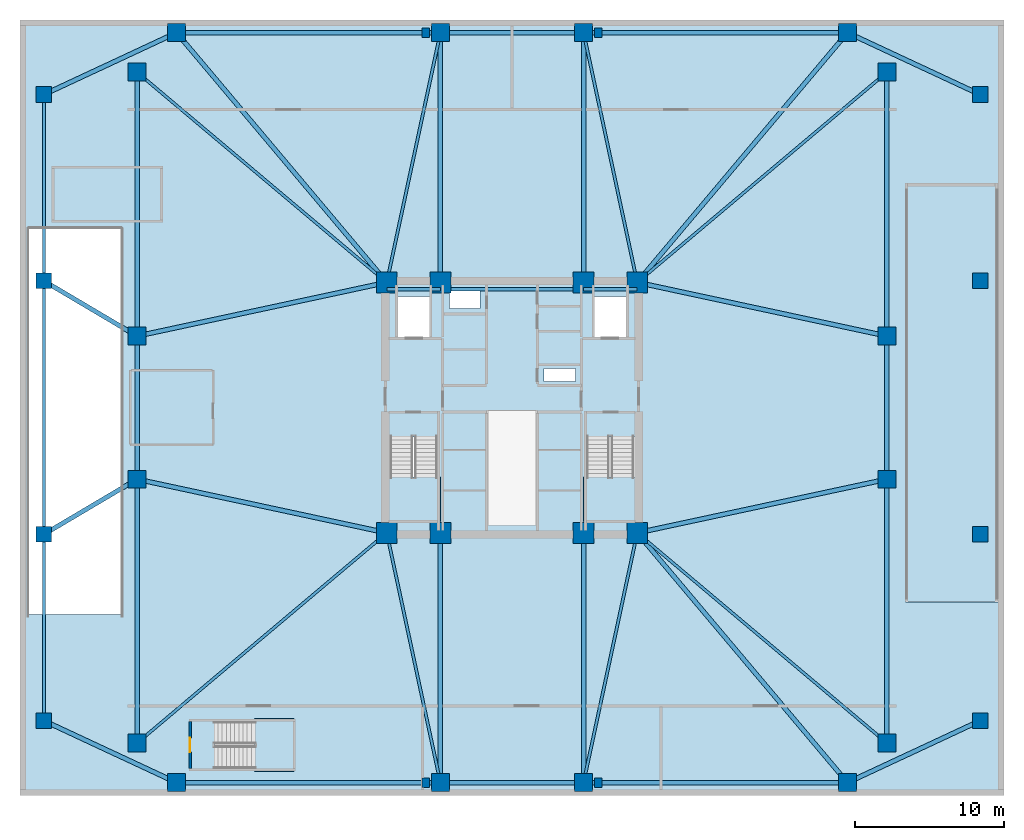
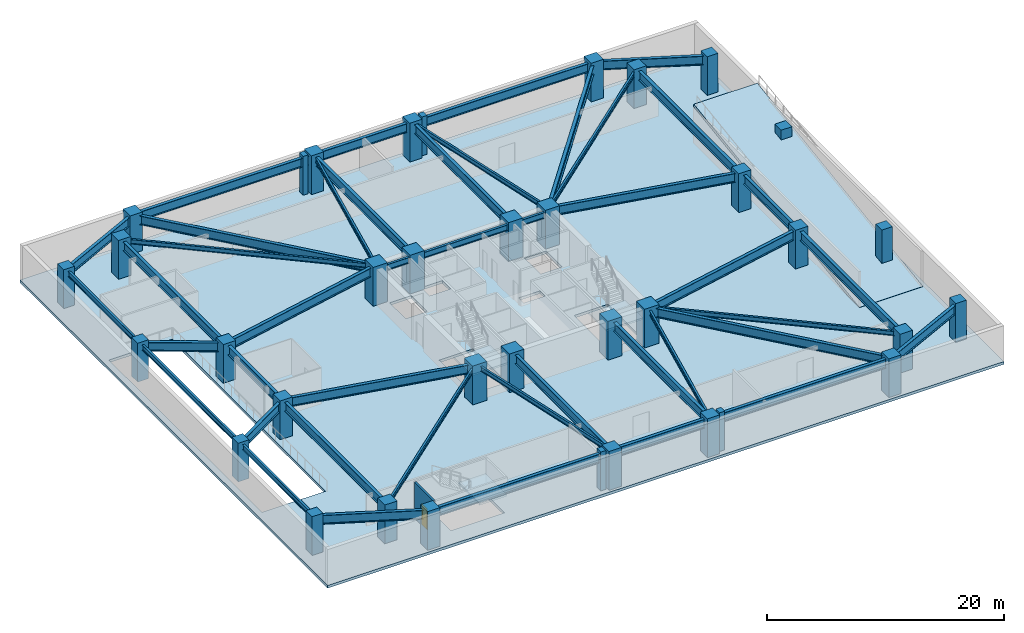
# One storey, part 1 of 9: 43 beams, 36 columns, 5 slabs, 1 door, 1 wall, 1 opening, 3 elements without a shape of their own.
"""IFC4 building model written with IfcOpenShell, lengths in metres."""

from ifc_helpers import new_model, si_unit, direction, frame, frame_2d, origin, origin_2d, place, context, subcontext, project, spatial, polyline, rectangle, i_section, outline, extrude, material, layer, layer_set, material_profile, profile_set, type_object, element, fill, aggregate, save


model = new_model("IFC4")

# Units and contexts
model_context = context("Model", 3, precision=1e-05, world=origin(), true_north=direction((0.0, 1.0)))
body_context = subcontext(model_context, "Body", "Model", "MODEL_VIEW")
ifc_project = project(units=[si_unit("LENGTHUNIT", "METRE"), si_unit("AREAUNIT", "SQUARE_METRE"), si_unit("VOLUMEUNIT", "CUBIC_METRE"), si_unit("PLANEANGLEUNIT", "RADIAN"), si_unit("MASSUNIT", "GRAM", prefix="KILO")], contexts=[model_context])

# Site, building, storey
site_placement = place(None, origin())
site = spatial("IfcSite", under=ifc_project, at=site_placement, CompositionType="ELEMENT")
building_placement = place(site_placement, origin())
building = spatial("IfcBuilding", under=site, at=building_placement, Name="Cairnveth Concourse Tower", CompositionType="ELEMENT")
storey_placement = place(building_placement, frame((0.0, 0.0, -4.0)))
storey = spatial("IfcBuildingStorey", under=building, at=storey_placement, Name="B01", CompositionType="ELEMENT", Elevation=-4.0)

# Columns
ifc_material_1 = material(Name="Concrete N80 (80 MPa)", Category="concrete")
ifc_material_profile_1 = material_profile(ifc_material_1, rectangle(XDim=1.39990234375, YDim=1.39990234375, at=origin_2d()), Name="RC-COL-1400x1400")
ifc_profile_set_1 = profile_set([ifc_material_profile_1], Name="Concrete N80 (80 MPa)")
column_type_1 = type_object("IfcColumnType", Name="CORE COLUMN 1400X1400", PredefinedType="COLUMN", material=ifc_profile_set_1)
for number, where, z_axis, x_axis, name in (
    (1, (43.60009765625, 30.60009765625, 0.0), (0.0, 0.0, 1.0), (1.0, 0.0, 0.0), "Column CC1 B01"),
    (2, (47.199951171875, 30.60009765625, 0.0), (0.0, 0.0, 1.0), (1.0, 0.0, 0.0), "Column CC2 B01"),
    (3, (56.800048828125, 30.60009765625, 0.0), (0.0, 0.0, 1.0), (1.0, 0.0, 0.0), "Column CC3 B01"),
    (4, (60.39990234375, 30.60009765625, 0.0), (0.0, 0.0, 1.0), (1.0, 0.0, 0.0), "Column CC4 B01"),
    (5, (43.60009765625, 47.39990234375, 0.0), (0.0, 0.0, 1.0), (1.0, 0.0, 0.0), "Column CC5 B01"),
    (6, (47.199951171875, 47.39990234375, 0.0), (0.0, 0.0, 1.0), (1.0, 0.0, 0.0), "Column CC6 B01"),
    (7, (56.800048828125, 47.39990234375, 0.0), (0.0, 0.0, 1.0), (1.0, 0.0, 0.0), "Column CC7 B01"),
    (8, (60.39990234375, 47.39990234375, 0.0), (0.0, 0.0, 1.0), (1.0, 0.0, 0.0), "Column CC8 B01"),
):
    element("IfcColumn", number, at=place(storey_placement, frame(where, z_axis=z_axis, x_axis=x_axis)), inside=storey, type_object=column_type_1, Name=name, PredefinedType="COLUMN", context=body_context, shape_type="SweptSolid", body=[
        extrude(rectangle(XDim=1.39990234375, YDim=1.39990234375, at=origin_2d()), origin(), (0.0, 0.0, 1.0), 4.0),
    ])
ifc_material_2 = material(Name="Concrete N65 (65 MPa)", Category="concrete")
ifc_material_profile_2 = material_profile(ifc_material_2, rectangle(XDim=0.5, YDim=0.64990234375, at=origin_2d()), Name="RC-PIL-650x500")
ifc_profile_set_2 = profile_set([ifc_material_profile_2], Name="Concrete N65 (65 MPa)")
column_type_2 = type_object("IfcColumnType", Name="CORNER PIER PILASTER 650X500", PredefinedType="PILASTER", material=ifc_profile_set_2)
for number, where, z_axis, x_axis, name in (
    (9, (46.199951171875, 13.85009765625, 0.0), (0.0, 0.0, 1.0), (1.0, 0.0, 0.0), "Column PIL-G1 B01"),
    (10, (57.800048828125, 13.85009765625, 0.0), (0.0, 0.0, 1.0), (1.0, 0.0, 0.0), "Column PIL-G2 B01"),
    (11, (46.199951171875, 64.14990234375, 0.0), (0.0, 0.0, 1.0), (1.0, 0.0, 0.0), "Column PIL-G3 B01"),
    (12, (57.800048828125, 64.14990234375, 0.0), (0.0, 0.0, 1.0), (1.0, 0.0, 0.0), "Column PIL-G4 B01"),
):
    element("IfcColumn", number, at=place(storey_placement, frame(where, z_axis=z_axis, x_axis=x_axis)), inside=storey, type_object=column_type_2, Name=name, PredefinedType="PILASTER", context=body_context, shape_type="SweptSolid", body=[
        extrude(rectangle(XDim=0.5, YDim=0.64990234375, at=origin_2d()), origin(), (0.0, 0.0, 1.0), 4.0),
    ])
ifc_material_profile_3 = material_profile(ifc_material_1, rectangle(XDim=1.199951171875, YDim=1.199951171875, at=origin_2d()), Name="RC-COL-1200x1200")
ifc_profile_set_3 = profile_set([ifc_material_profile_3], Name="Concrete N80 (80 MPa)")
column_type_3 = type_object("IfcColumnType", Name="PERIMETER PIER COLUMN 1200X1200", PredefinedType="COLUMN", material=ifc_profile_set_3)
for number, where, z_axis, x_axis, name in (
    (13, (29.5, 13.85009765625, 0.0), (0.0, 0.0, 1.0), (1.0, 0.0, 0.0), "Column Z1-S1 B01"),
    (14, (47.199951171875, 13.85009765625, 0.0), (0.0, 0.0, 1.0), (1.0, 0.0, 0.0), "Column Z1-S2 B01"),
    (15, (56.800048828125, 13.85009765625, 0.0), (0.0, 0.0, 1.0), (1.0, 0.0, 0.0), "Column Z1-S3 B01"),
    (16, (74.5, 13.85009765625, 0.0), (0.0, 0.0, 1.0), (1.0, 0.0, 0.0), "Column Z1-S4 B01"),
    (17, (77.14990234375, 16.5, 0.0), (0.0, 0.0, 1.0), (1.0, 0.0, 0.0), "Column Z1-E1 B01"),
    (18, (77.14990234375, 34.199951171875, 0.0), (0.0, 0.0, 1.0), (1.0, 0.0, 0.0), "Column Z1-E2 B01"),
    (19, (77.14990234375, 43.800048828125, 0.0), (0.0, 0.0, 1.0), (1.0, 0.0, 0.0), "Column Z1-E3 B01"),
    (20, (77.14990234375, 61.5, 0.0), (0.0, 0.0, 1.0), (1.0, 0.0, 0.0), "Column Z1-E4 B01"),
    (21, (74.5, 64.14990234375, 0.0), (0.0, 0.0, 1.0), (1.0, 0.0, 0.0), "Column Z1-N1 B01"),
    (22, (56.800048828125, 64.14990234375, 0.0), (0.0, 0.0, 1.0), (1.0, 0.0, 0.0), "Column Z1-N2 B01"),
    (23, (47.199951171875, 64.14990234375, 0.0), (0.0, 0.0, 1.0), (1.0, 0.0, 0.0), "Column Z1-N3 B01"),
    (24, (29.5, 64.14990234375, 0.0), (0.0, 0.0, 1.0), (1.0, 0.0, 0.0), "Column Z1-N4 B01"),
    (25, (26.85009765625, 61.5, 0.0), (0.0, 0.0, 1.0), (1.0, 0.0, 0.0), "Column Z1-W1 B01"),
    (26, (26.85009765625, 43.800048828125, 0.0), (0.0, 0.0, 1.0), (1.0, 0.0, 0.0), "Column Z1-W2 B01"),
    (27, (26.85009765625, 34.199951171875, 0.0), (0.0, 0.0, 1.0), (1.0, 0.0, 0.0), "Column Z1-W3 B01"),
    (28, (26.85009765625, 16.5, 0.0), (0.0, 0.0, 1.0), (1.0, 0.0, 0.0), "Column Z1-W4 B01"),
):
    element("IfcColumn", number, at=place(storey_placement, frame(where, z_axis=z_axis, x_axis=x_axis)), inside=storey, type_object=column_type_3, Name=name, PredefinedType="COLUMN", context=body_context, shape_type="SweptSolid", body=[
        extrude(rectangle(XDim=1.199951171875, YDim=1.199951171875, at=origin_2d()), origin(), (0.0, 0.0, 1.0), 4.0),
    ])
ifc_material_profile_4 = material_profile(ifc_material_2, rectangle(XDim=1.050048828125, YDim=1.050048828125, at=origin_2d()), Name="RC-COL-1050x1050")
ifc_profile_set_4 = profile_set([ifc_material_profile_4], Name="Concrete N65 (65 MPa)")
column_type_4 = type_object("IfcColumnType", Name="PODIUM CONCOURSE COLUMN 1050X1050", PredefinedType="COLUMN", material=ifc_profile_set_4)
for number, where, z_axis, x_axis, name in (
    (29, (20.60009765625, 18.0, 0.0), (0.0, 0.0, 1.0), (1.0, 0.0, 0.0), "Column PC-W1 B01"),
    (30, (20.60009765625, 30.5, 0.0), (0.0, 0.0, 1.0), (1.0, 0.0, 0.0), "Column PC-W2 B01"),
    (31, (20.60009765625, 47.5, 0.0), (0.0, 0.0, 1.0), (1.0, 0.0, 0.0), "Column PC-W3 B01"),
    (32, (20.60009765625, 60.0, 0.0), (0.0, 0.0, 1.0), (1.0, 0.0, 0.0), "Column PC-W4 B01"),
    (33, (83.39990234375, 18.0, 0.0), (0.0, 0.0, 1.0), (1.0, 0.0, 0.0), "Column PC-E1 B01"),
    (34, (83.39990234375, 30.5, 0.0), (0.0, 0.0, 1.0), (1.0, 0.0, 0.0), "Column PC-E2 B01"),
    (35, (83.39990234375, 47.5, 0.0), (0.0, 0.0, 1.0), (1.0, 0.0, 0.0), "Column PC-E3 B01"),
    (36, (83.39990234375, 60.0, 0.0), (0.0, 0.0, 1.0), (1.0, 0.0, 0.0), "Column PC-E4 B01"),
):
    element("IfcColumn", number, at=place(storey_placement, frame(where, z_axis=z_axis, x_axis=x_axis)), inside=storey, type_object=column_type_4, Name=name, PredefinedType="COLUMN", context=body_context, shape_type="SweptSolid", body=[
        extrude(rectangle(XDim=1.050048828125, YDim=1.050048828125, at=origin_2d()), origin(), (0.0, 0.0, 1.0), 4.0),
    ])

# Beams
ifc_material_3 = material(Name="Steel Grade 350", Category="steel")
ifc_material_profile_5 = material_profile(ifc_material_3, i_section(OverallWidth=0.22802734375, OverallDepth=0.60693359375, WebThickness=0.01123046875, FlangeThickness=0.017333984375, FilletRadius=0.013916015625, at=origin_2d()), Name="610UB113")
ifc_profile_set_5 = profile_set([ifc_material_profile_5], Name="Steel Grade 350")
beam_type_1 = type_object("IfcBeamType", Name="CORE TIE BEAM 610UB113", PredefinedType="T_BEAM", material=ifc_profile_set_5)
for number, where, z_axis, x_axis, name in (
    (37, (43.60009765625, 46.949951171875, 3.396484375), (1.0, 0.0, 0.0), (0.0, 1.0, 0.0), "Beam CT-N1 B01"),
    (38, (56.800048828125, 46.949951171875, 3.396484375), (1.0, 0.0, 0.0), (0.0, 1.0, 0.0), "Beam CT-N3 B01"),
):
    element("IfcBeam", number, at=place(storey_placement, frame(where, z_axis=z_axis, x_axis=x_axis)), inside=storey, type_object=beam_type_1, Name=name, PredefinedType="T_BEAM", context=body_context, shape_type="SweptSolid", body=[
        extrude(i_section(OverallWidth=0.22802734375, OverallDepth=0.60693359375, WebThickness=0.01123046875, FlangeThickness=0.017333984375, FilletRadius=0.013916015625, at=origin_2d()), origin(), (0.0, 0.0, 1.0), 3.599853515625),
    ])
beam_1_placement = place(storey_placement, frame((47.199951171875, 46.949951171875, 3.396484375), z_axis=(1.0, 0.0, 0.0), x_axis=(0.0, 1.0, 0.0)))
element("IfcBeam", 39, at=beam_1_placement, inside=storey, type_object=beam_type_1, Name="Beam CT-N2 B01", PredefinedType="T_BEAM", context=body_context, shape_type="SweptSolid", body=[
    extrude(i_section(OverallWidth=0.22802734375, OverallDepth=0.60693359375, WebThickness=0.01123046875, FlangeThickness=0.017333984375, FilletRadius=0.013916015625, at=origin_2d()), origin(), (0.0, 0.0, 1.0), 9.60009765625),
])
ifc_material_profile_6 = material_profile(ifc_material_3, i_section(OverallWidth=0.208984375, OverallDepth=0.532958984375, WebThickness=0.01025390625, FlangeThickness=0.015625, FilletRadius=0.013916015625, at=origin_2d()), Name="530UB92.4")
ifc_profile_set_6 = profile_set([ifc_material_profile_6], Name="Steel Grade 350")
beam_type_2 = type_object("IfcBeamType", Name="PODIUM EDGE SPANDREL 530UB92.4", PredefinedType="SPANDREL", material=ifc_profile_set_6)
beam_2_placement = place(storey_placement, frame((20.60009765625, 18.0, 3.43359375), z_axis=(0.0, 1.0, 0.0), x_axis=(-1.0, 0.0, 0.0)))
element("IfcBeam", 40, at=beam_2_placement, inside=storey, type_object=beam_type_2, Name="Beam PSP-W1 B01", PredefinedType="SPANDREL", context=body_context, shape_type="SweptSolid", body=[
    extrude(i_section(OverallWidth=0.208984375, OverallDepth=0.532958984375, WebThickness=0.01025390625, FlangeThickness=0.015625, FilletRadius=0.013916015625, at=origin_2d()), origin(), (0.0, 0.0, 1.0), 12.5),
])
beam_3_placement = place(storey_placement, frame((20.60009765625, 30.5, 3.43359375), z_axis=(0.0, 1.0, 0.0), x_axis=(-1.0, 0.0, 0.0)))
element("IfcBeam", 41, at=beam_3_placement, inside=storey, type_object=beam_type_2, Name="Beam PSP-W2 B01", PredefinedType="SPANDREL", context=body_context, shape_type="SweptSolid", body=[
    extrude(i_section(OverallWidth=0.208984375, OverallDepth=0.532958984375, WebThickness=0.01025390625, FlangeThickness=0.015625, FilletRadius=0.013916015625, at=origin_2d()), origin(), (0.0, 0.0, 1.0), 17.0),
])
beam_4_placement = place(storey_placement, frame((20.60009765625, 47.5, 3.43359375), z_axis=(0.0, 1.0, 0.0), x_axis=(-1.0, 0.0, 0.0)))
element("IfcBeam", 42, at=beam_4_placement, inside=storey, type_object=beam_type_2, Name="Beam PSP-W3 B01", PredefinedType="SPANDREL", context=body_context, shape_type="SweptSolid", body=[
    extrude(i_section(OverallWidth=0.208984375, OverallDepth=0.532958984375, WebThickness=0.01025390625, FlangeThickness=0.015625, FilletRadius=0.013916015625, at=origin_2d()), origin(), (0.0, 0.0, 1.0), 12.5),
])
ifc_material_profile_7 = material_profile(ifc_material_3, i_section(OverallWidth=0.18994140625, OverallDepth=0.45703125, WebThickness=0.009033203125, FlangeThickness=0.014404296875, FilletRadius=0.010986328125, at=origin_2d()), Name="460UB74.6")
ifc_profile_set_7 = profile_set([ifc_material_profile_7], Name="Steel Grade 350")
beam_type_3 = type_object("IfcBeamType", Name="PODIUM FLOOR JOIST 460UB74.6", PredefinedType="JOIST", material=ifc_profile_set_7)
for number, where, z_axis, x_axis, name in (
    (43, (26.85009765625, 16.5, 3.471435546875), (0.765027427674, 0.643997697905, 0.0), (-0.643997697905, 0.765027427674, 0.0), "Beam PJ-SW1 B01"),
    (44, (77.14990234375, 16.5, 3.471435546875), (-0.765027427674, 0.643997697905, 0.0), (-0.643997697905, -0.765027427674, 0.0), "Beam PJ-SE1 B01"),
    (45, (26.85009765625, 61.5, 3.471435546875), (0.765027427674, -0.643997697905, 0.0), (0.643997697905, 0.765027427674, 0.0), "Beam PJ-NW1 B01"),
    (46, (77.14990234375, 61.5, 3.471435546875), (-0.765027427674, -0.643997697905, 0.0), (0.643997697905, -0.765027427674, 0.0), "Beam PJ-NE1 B01"),
):
    element("IfcBeam", number, at=place(storey_placement, frame(where, z_axis=z_axis, x_axis=x_axis)), inside=storey, type_object=beam_type_3, Name=name, PredefinedType="JOIST", context=body_context, shape_type="SweptSolid", body=[
        extrude(i_section(OverallWidth=0.18994140625, OverallDepth=0.45703125, WebThickness=0.009033203125, FlangeThickness=0.014404296875, FilletRadius=0.010986328125, at=origin_2d()), origin(), (0.0, 0.0, 1.0), 21.89453125),
    ])
for number, where, z_axis, x_axis, name in (
    (47, (43.60009765625, 30.60009765625, 3.471435546875), (0.210118799239, -0.977675861524, 0.0), (0.977675861524, 0.210118799239, 0.0), "Beam PJ-S-X B01"),
    (48, (60.39990234375, 30.60009765625, 3.471435546875), (-0.210118799239, -0.977675861524, 0.0), (0.977675861524, -0.210118799239, 0.0), "Beam PJ-S-X2 B01"),
    (49, (43.60009765625, 47.39990234375, 3.471435546875), (0.210118799239, 0.977675861524, 0.0), (-0.977675861524, 0.210118799239, 0.0), "Beam PJ-N-X B01"),
    (50, (60.39990234375, 47.39990234375, 3.471435546875), (-0.210118799239, 0.977675861524, 0.0), (-0.977675861524, -0.210118799239, 0.0), "Beam PJ-N-X2 B01"),
):
    element("IfcBeam", number, at=place(storey_placement, frame(where, z_axis=z_axis, x_axis=x_axis)), inside=storey, type_object=beam_type_3, Name=name, PredefinedType="JOIST", context=body_context, shape_type="SweptSolid", body=[
        extrude(i_section(OverallWidth=0.18994140625, OverallDepth=0.45703125, WebThickness=0.009033203125, FlangeThickness=0.014404296875, FilletRadius=0.010986328125, at=origin_2d()), origin(), (0.0, 0.0, 1.0), 17.132568359375),
    ])
ifc_material_profile_8 = material_profile(ifc_material_3, i_section(OverallWidth=0.300048828125, OverallDepth=0.924072265625, WebThickness=0.013916015625, FlangeThickness=0.031982421875, at=origin_2d()), Name="900WB257")
ifc_profile_set_8 = profile_set([ifc_material_profile_8], Name="Steel Grade 350")
beam_type_4 = type_object("IfcBeamType", Name="PODIUM PRIMARY GIRDER 900WB257", PredefinedType="BEAM", material=ifc_profile_set_8)
for number, where, z_axis, x_axis, name in (
    (51, (20.60009765625, 18.0, 3.238037109375), (0.906315208572, -0.422602345842, 0.0), (0.422602345842, 0.906315208572, 0.0), "Beam PG-W-S B01"),
    (52, (74.5, 13.85009765625, 3.238037109375), (0.906315208572, 0.422602345842, 0.0), (-0.422602345842, 0.906315208572, 0.0), "Beam PG-E-S B01"),
    (53, (20.60009765625, 60.0, 3.238037109375), (0.906315208572, 0.422602345842, 0.0), (-0.422602345842, 0.906315208572, 0.0), "Beam PG-W-N B01"),
    (54, (74.5, 64.14990234375, 3.238037109375), (0.906315208572, -0.422602345842, 0.0), (0.422602345842, 0.906315208572, 0.0), "Beam PG-E-N B01"),
):
    element("IfcBeam", number, at=place(storey_placement, frame(where, z_axis=z_axis, x_axis=x_axis)), inside=storey, type_object=beam_type_4, Name=name, PredefinedType="BEAM", context=body_context, shape_type="SweptSolid", body=[
        extrude(i_section(OverallWidth=0.300048828125, OverallDepth=0.924072265625, WebThickness=0.013916015625, FlangeThickness=0.031982421875, at=origin_2d()), origin(), (0.0, 0.0, 1.0), 9.81982421875),
    ])
beam_5_placement = place(storey_placement, frame((20.60009765625, 30.5, 3.238037109375), z_axis=(0.860518044459, 0.509419959523, 0.0), x_axis=(-0.509419959523, 0.860518044459, 0.0)))
element("IfcBeam", 55, at=beam_5_placement, inside=storey, type_object=beam_type_4, Name="Beam PG-W1 B01", PredefinedType="BEAM", context=body_context, shape_type="SweptSolid", body=[
    extrude(i_section(OverallWidth=0.300048828125, OverallDepth=0.924072265625, WebThickness=0.013916015625, FlangeThickness=0.031982421875, at=origin_2d()), origin(), (0.0, 0.0, 1.0), 7.26318359375),
])
beam_6_placement = place(storey_placement, frame((26.85009765625, 34.199951171875, 3.238037109375), z_axis=(0.977675861524, -0.210118799239, 0.0), x_axis=(0.210118799239, 0.977675861524, 0.0)))
element("IfcBeam", 56, at=beam_6_placement, inside=storey, type_object=beam_type_4, Name="Beam PG-W1B B01", PredefinedType="BEAM", context=body_context, shape_type="SweptSolid", body=[
    extrude(i_section(OverallWidth=0.300048828125, OverallDepth=0.924072265625, WebThickness=0.013916015625, FlangeThickness=0.031982421875, at=origin_2d()), origin(), (0.0, 0.0, 1.0), 17.132568359375),
])
beam_7_placement = place(storey_placement, frame((20.60009765625, 47.5, 3.238037109375), z_axis=(0.860518044459, -0.509419959523, 0.0), x_axis=(0.509419959523, 0.860518044459, 0.0)))
element("IfcBeam", 57, at=beam_7_placement, inside=storey, type_object=beam_type_4, Name="Beam PG-W2 B01", PredefinedType="BEAM", context=body_context, shape_type="SweptSolid", body=[
    extrude(i_section(OverallWidth=0.300048828125, OverallDepth=0.924072265625, WebThickness=0.013916015625, FlangeThickness=0.031982421875, at=origin_2d()), origin(), (0.0, 0.0, 1.0), 7.26318359375),
])
for number, where, z_axis, x_axis, name in (
    (58, (26.85009765625, 43.800048828125, 3.238037109375), (0.977675861524, 0.210118799239, 0.0), (-0.210118799239, 0.977675861524, 0.0), "Beam PG-W2B B01"),
    (59, (60.39990234375, 30.60009765625, 3.238037109375), (0.977675861524, 0.210118799239, 0.0), (-0.210118799239, 0.977675861524, 0.0), "Beam PG-E1 B01"),
    (60, (60.39990234375, 47.39990234375, 3.238037109375), (0.977675861524, -0.210118799239, 0.0), (0.210118799239, 0.977675861524, 0.0), "Beam PG-E2 B01"),
):
    element("IfcBeam", number, at=place(storey_placement, frame(where, z_axis=z_axis, x_axis=x_axis)), inside=storey, type_object=beam_type_4, Name=name, PredefinedType="BEAM", context=body_context, shape_type="SweptSolid", body=[
        extrude(i_section(OverallWidth=0.300048828125, OverallDepth=0.924072265625, WebThickness=0.013916015625, FlangeThickness=0.031982421875, at=origin_2d()), origin(), (0.0, 0.0, 1.0), 17.132568359375),
    ])
for number, where, z_axis, x_axis, name in (
    (61, (47.199951171875, 13.85009765625, 3.238037109375), (0.0, 1.0, 0.0), (-1.0, 0.0, 0.0), "Beam PG-S1 B01"),
    (62, (56.800048828125, 13.85009765625, 3.238037109375), (0.0, 1.0, 0.0), (-1.0, 0.0, 0.0), "Beam PG-S2 B01"),
    (63, (47.199951171875, 47.39990234375, 3.238037109375), (0.0, 1.0, 0.0), (-1.0, 0.0, 0.0), "Beam PG-N1 B01"),
    (64, (56.800048828125, 47.39990234375, 3.238037109375), (0.0, 1.0, 0.0), (-1.0, 0.0, 0.0), "Beam PG-N2 B01"),
):
    element("IfcBeam", number, at=place(storey_placement, frame(where, z_axis=z_axis, x_axis=x_axis)), inside=storey, type_object=beam_type_4, Name=name, PredefinedType="BEAM", context=body_context, shape_type="SweptSolid", body=[
        extrude(i_section(OverallWidth=0.300048828125, OverallDepth=0.924072265625, WebThickness=0.013916015625, FlangeThickness=0.031982421875, at=origin_2d()), origin(), (0.0, 0.0, 1.0), 16.75),
    ])
for number, where, z_axis, x_axis, name in (
    (65, (74.5, 13.85009765625, 3.238037109375), (-0.643997697905, 0.765027427674, 0.0), (-0.765027427674, -0.643997697905, 0.0), "Beam PG-CSE B01"),
    (66, (29.5, 64.14990234375, 3.238037109375), (0.643997697905, -0.765027427674, 0.0), (0.765027427674, 0.643997697905, 0.0), "Beam PG-CNW B01"),
    (67, (74.5, 64.14990234375, 3.238037109375), (-0.643997697905, -0.765027427674, 0.0), (0.765027427674, -0.643997697905, 0.0), "Beam PG-CNE B01"),
):
    element("IfcBeam", number, at=place(storey_placement, frame(where, z_axis=z_axis, x_axis=x_axis)), inside=storey, type_object=beam_type_4, Name=name, PredefinedType="BEAM", context=body_context, shape_type="SweptSolid", body=[
        extrude(i_section(OverallWidth=0.300048828125, OverallDepth=0.924072265625, WebThickness=0.013916015625, FlangeThickness=0.031982421875, at=origin_2d()), origin(), (0.0, 0.0, 1.0), 21.89453125),
    ])
beam_8_placement = place(storey_placement, frame((29.5, 13.85009765625, 3.238037109375), z_axis=(1.0, 0.0, 0.0), x_axis=(0.0, 1.0, 0.0)))
element("IfcBeam", 68, at=beam_8_placement, inside=storey, type_object=beam_type_4, Name="Beam PR-S1 B01", PredefinedType="BEAM", context=body_context, shape_type="SweptSolid", body=[
    extrude(i_section(OverallWidth=0.300048828125, OverallDepth=0.924072265625, WebThickness=0.013916015625, FlangeThickness=0.031982421875, at=origin_2d()), origin(), (0.0, 0.0, 1.0), 17.699951171875),
])
beam_9_placement = place(storey_placement, frame((47.199951171875, 13.85009765625, 3.238037109375), z_axis=(1.0, 0.0, 0.0), x_axis=(0.0, 1.0, 0.0)))
element("IfcBeam", 69, at=beam_9_placement, inside=storey, type_object=beam_type_4, Name="Beam PR-S2 B01", PredefinedType="BEAM", context=body_context, shape_type="SweptSolid", body=[
    extrude(i_section(OverallWidth=0.300048828125, OverallDepth=0.924072265625, WebThickness=0.013916015625, FlangeThickness=0.031982421875, at=origin_2d()), origin(), (0.0, 0.0, 1.0), 9.60009765625),
])
for number, where, z_axis, x_axis, name in (
    (70, (56.800048828125, 13.85009765625, 3.238037109375), (1.0, 0.0, 0.0), (0.0, 1.0, 0.0), "Beam PR-S3 B01"),
    (71, (29.5, 64.14990234375, 3.238037109375), (1.0, 0.0, 0.0), (0.0, 1.0, 0.0), "Beam PR-N1 B01"),
):
    element("IfcBeam", number, at=place(storey_placement, frame(where, z_axis=z_axis, x_axis=x_axis)), inside=storey, type_object=beam_type_4, Name=name, PredefinedType="BEAM", context=body_context, shape_type="SweptSolid", body=[
        extrude(i_section(OverallWidth=0.300048828125, OverallDepth=0.924072265625, WebThickness=0.013916015625, FlangeThickness=0.031982421875, at=origin_2d()), origin(), (0.0, 0.0, 1.0), 17.699951171875),
    ])
beam_10_placement = place(storey_placement, frame((47.199951171875, 64.14990234375, 3.238037109375), z_axis=(1.0, 0.0, 0.0), x_axis=(0.0, 1.0, 0.0)))
element("IfcBeam", 72, at=beam_10_placement, inside=storey, type_object=beam_type_4, Name="Beam PR-N2 B01", PredefinedType="BEAM", context=body_context, shape_type="SweptSolid", body=[
    extrude(i_section(OverallWidth=0.300048828125, OverallDepth=0.924072265625, WebThickness=0.013916015625, FlangeThickness=0.031982421875, at=origin_2d()), origin(), (0.0, 0.0, 1.0), 9.60009765625),
])
for number, where, z_axis, x_axis, name in (
    (73, (56.800048828125, 64.14990234375, 3.238037109375), (1.0, 0.0, 0.0), (0.0, 1.0, 0.0), "Beam PR-N3 B01"),
    (74, (26.85009765625, 16.5, 3.238037109375), (0.0, 1.0, 0.0), (-1.0, 0.0, 0.0), "Beam PR-W1 B01"),
):
    element("IfcBeam", number, at=place(storey_placement, frame(where, z_axis=z_axis, x_axis=x_axis)), inside=storey, type_object=beam_type_4, Name=name, PredefinedType="BEAM", context=body_context, shape_type="SweptSolid", body=[
        extrude(i_section(OverallWidth=0.300048828125, OverallDepth=0.924072265625, WebThickness=0.013916015625, FlangeThickness=0.031982421875, at=origin_2d()), origin(), (0.0, 0.0, 1.0), 17.699951171875),
    ])
beam_11_placement = place(storey_placement, frame((26.85009765625, 34.199951171875, 3.238037109375), z_axis=(0.0, 1.0, 0.0), x_axis=(-1.0, 0.0, 0.0)))
element("IfcBeam", 75, at=beam_11_placement, inside=storey, type_object=beam_type_4, Name="Beam PR-W2 B01", PredefinedType="BEAM", context=body_context, shape_type="SweptSolid", body=[
    extrude(i_section(OverallWidth=0.300048828125, OverallDepth=0.924072265625, WebThickness=0.013916015625, FlangeThickness=0.031982421875, at=origin_2d()), origin(), (0.0, 0.0, 1.0), 9.60009765625),
])
for number, where, z_axis, x_axis, name in (
    (76, (26.85009765625, 43.800048828125, 3.238037109375), (0.0, 1.0, 0.0), (-1.0, 0.0, 0.0), "Beam PR-W3 B01"),
    (77, (77.14990234375, 16.5, 3.238037109375), (0.0, 1.0, 0.0), (-1.0, 0.0, 0.0), "Beam PR-E1 B01"),
):
    element("IfcBeam", number, at=place(storey_placement, frame(where, z_axis=z_axis, x_axis=x_axis)), inside=storey, type_object=beam_type_4, Name=name, PredefinedType="BEAM", context=body_context, shape_type="SweptSolid", body=[
        extrude(i_section(OverallWidth=0.300048828125, OverallDepth=0.924072265625, WebThickness=0.013916015625, FlangeThickness=0.031982421875, at=origin_2d()), origin(), (0.0, 0.0, 1.0), 17.699951171875),
    ])
beam_12_placement = place(storey_placement, frame((77.14990234375, 34.199951171875, 3.238037109375), z_axis=(0.0, 1.0, 0.0), x_axis=(-1.0, 0.0, 0.0)))
element("IfcBeam", 78, at=beam_12_placement, inside=storey, type_object=beam_type_4, Name="Beam PR-E2 B01", PredefinedType="BEAM", context=body_context, shape_type="SweptSolid", body=[
    extrude(i_section(OverallWidth=0.300048828125, OverallDepth=0.924072265625, WebThickness=0.013916015625, FlangeThickness=0.031982421875, at=origin_2d()), origin(), (0.0, 0.0, 1.0), 9.60009765625),
])
beam_13_placement = place(storey_placement, frame((77.14990234375, 43.800048828125, 3.238037109375), z_axis=(0.0, 1.0, 0.0), x_axis=(-1.0, 0.0, 0.0)))
element("IfcBeam", 79, at=beam_13_placement, inside=storey, type_object=beam_type_4, Name="Beam PR-E3 B01", PredefinedType="BEAM", context=body_context, shape_type="SweptSolid", body=[
    extrude(i_section(OverallWidth=0.300048828125, OverallDepth=0.924072265625, WebThickness=0.013916015625, FlangeThickness=0.031982421875, at=origin_2d()), origin(), (0.0, 0.0, 1.0), 17.699951171875),
])

# Slab
ifc_material_4 = material(Name="Concrete N50 (50 MPa)", Category="concrete")
ifc_layer_1 = layer(ifc_material_4, 0.280029296875)
ifc_layer_set_1 = layer_set([ifc_layer_1], Name="Concrete N50 (50 MPa)")
slab_type_1 = type_object("IfcSlabType", Name="BASEMENT SUSPENDED SLAB 280", PredefinedType="FLOOR", material=ifc_layer_set_1)
slab_1_placement = place(storey_placement, frame((0.0, 0.0, -0.280029296875)))
element("IfcSlab", 80, at=slab_1_placement, inside=storey, type_object=slab_type_1, Name="Basement B01 Car Park Slab", PredefinedType="FLOOR", context=body_context, shape_type="SweptSolid", body=[
    extrude(outline(polyline([(19.0, 13.0), (85.0, 13.0), (85.0, 65.0), (19.0, 65.0), (19.0, 13.0)]), holes=[polyline([(43.760009765625, 31.360107421875), (47.06005859375, 31.360107421875), (47.06005859375, 37.0400390625), (43.760009765625, 37.0400390625), (43.760009765625, 31.360107421875)]), polyline([(56.93994140625, 31.360107421875), (60.239990234375, 31.360107421875), (60.239990234375, 37.0400390625), (56.93994140625, 37.0400390625), (56.93994140625, 31.360107421875)]), polyline([(32.06005859375, 14.800048828125), (37.300048828125, 14.800048828125), (37.300048828125, 17.93994140625), (32.06005859375, 17.93994140625), (32.06005859375, 14.800048828125)]), polyline([(44.3701171875, 43.75), (46.469970703125, 43.75), (46.469970703125, 46.449951171875), (44.3701171875, 46.449951171875), (44.3701171875, 43.75)]), polyline([(57.530029296875, 43.75), (59.6298828125, 43.75), (59.6298828125, 46.449951171875), (57.530029296875, 46.449951171875), (57.530029296875, 43.75)]), polyline([(47.800048828125, 45.64990234375), (49.85009765625, 45.64990234375), (49.85009765625, 47.050048828125), (47.800048828125, 47.050048828125), (47.800048828125, 45.64990234375)]), polyline([(54.14990234375, 40.75), (56.25, 40.75), (56.25, 41.6201171875), (54.14990234375, 41.6201171875), (54.14990234375, 40.75)]), polyline([(19.60009765625, 25.1201171875), (25.800048828125, 25.1201171875), (25.800048828125, 51.0), (19.60009765625, 51.0), (19.60009765625, 25.1201171875)]), polyline([(78.3798828125, 25.97998046875), (84.6201171875, 25.97998046875), (84.6201171875, 28.14990234375), (78.3798828125, 28.14990234375), (78.3798828125, 25.97998046875)])]), origin(), (0.0, 0.0, 1.0), 0.280029296875),
])

# Stair, slab
ifc_material_5 = material(Name="Precast concrete N50 (50 MPa)", Category="concrete")
stair_type = type_object("IfcStairType", Name="CORE DOG-LEG FIRE STAIR 1500", PredefinedType="HALF_TURN_STAIR", material=ifc_material_5)
stair_1_placement = place(storey_placement, origin())
stair_1 = element("IfcStair", 81, at=stair_1_placement, inside=storey, type_object=stair_type, Name="B01 Fire-Isolated Stair ST-1", PredefinedType="HALF_TURN_STAIR")
ifc_layer_2 = layer(ifc_material_4, 0.199951171875)
ifc_layer_set_2 = layer_set([ifc_layer_2], Name="Concrete N50 (50 MPa)")
slab_type_2 = type_object("IfcSlabType", Name="STAIR HALF LANDING SLAB 200", PredefinedType="LANDING", material=ifc_layer_set_2)
slab_2_placement = place(storey_placement, frame((0.0, 0.0, 1.800048828125)))
slab_2 = element("IfcSlab", 82, at=slab_2_placement, type_object=slab_type_2, Name="ST-1 landing 1", PredefinedType="LANDING", context=body_context, shape_type="SweptSolid", body=[
    extrude(outline(polyline([(43.6201171875, 34.360107421875), (43.6201171875, 31.3701171875), (47.199951171875, 31.3701171875), (47.199951171875, 34.360107421875), (43.6201171875, 34.360107421875)])), origin(), (0.0, 0.0, 1.0), 0.199951171875),
])
aggregate(stair_1, [slab_2])

stair_2_placement = place(storey_placement, origin())
stair_2 = element("IfcStair", 83, at=stair_2_placement, inside=storey, type_object=stair_type, Name="B01 Fire-Isolated Stair ST-2", PredefinedType="HALF_TURN_STAIR")
slab_3_placement = place(storey_placement, frame((0.0, 0.0, 1.800048828125)))
slab_3 = element("IfcSlab", 84, at=slab_3_placement, type_object=slab_type_2, Name="ST-2 landing 1", PredefinedType="LANDING", context=body_context, shape_type="SweptSolid", body=[
    extrude(outline(polyline([(56.800048828125, 34.360107421875), (56.800048828125, 31.3701171875), (60.3798828125, 31.3701171875), (60.3798828125, 34.360107421875), (56.800048828125, 34.360107421875)])), origin(), (0.0, 0.0, 1.0), 0.199951171875),
])
aggregate(stair_2, [slab_3])

stair_3_placement = place(storey_placement, origin())
stair_3 = element("IfcStair", 85, at=stair_3_placement, inside=storey, type_object=stair_type, Name="B01 Fire-Isolated Stair ST-B1", PredefinedType="HALF_TURN_STAIR")
slab_4_placement = place(storey_placement, frame((0.0, 0.0, 1.800048828125)))
slab_4 = element("IfcSlab", 86, at=slab_4_placement, type_object=slab_type_2, Name="ST-B1 landing 1", PredefinedType="LANDING", context=body_context, shape_type="SweptSolid", body=[
    extrude(outline(polyline([(34.739990234375, 14.580078125), (37.3798828125, 14.580078125), (37.3798828125, 18.159912109375), (34.739990234375, 18.159912109375), (34.739990234375, 14.580078125)])), origin(), (0.0, 0.0, 1.0), 0.199951171875),
])
aggregate(stair_3, [slab_4])

# Slab
ifc_layer_3 = layer(ifc_material_4, 0.300048828125)
ifc_layer_set_3 = layer_set([ifc_layer_3], Name="Concrete N50 (50 MPa)")
slab_type_3 = type_object("IfcSlabType", Name="VEHICLE RAMP STRUCTURAL SLAB 300", PredefinedType="FLOOR", material=ifc_layer_set_3)
slab_5_placement = place(storey_placement, frame((78.39990234375, 26.0, 0.0), z_axis=(0.0, -0.141421356237, 0.989949493661), x_axis=(1.0, 0.0, 0.0)))
element("IfcSlab", 87, at=slab_5_placement, inside=storey, type_object=slab_type_3, Name="Basement Vehicle Car Park Ramp Slab B01-L00", PredefinedType="FLOOR", context=body_context, shape_type="SweptSolid", body=[
    extrude(outline(polyline([(0.0, 0.0), (6.2001953125, 0.0), (6.2001953125, 28.2842712474619), (0.0, 28.2842712474619), (0.0, 0.0)])), origin(), (0.0, 0.0, -1.0), 0.300048828125),
])

# Wall, opening, door
ifc_layer_4 = layer(ifc_material_4, 0.179931640625)
ifc_layer_set_4 = layer_set([ifc_layer_4], Name="Concrete N50 (50 MPa)")
wall_type = type_object("IfcWallType", Name="FIRE SHAFT WALL 180", PredefinedType="SOLIDWALL", material=ifc_layer_set_4)
wall_placement = place(storey_placement, frame((30.409912109375, 14.784912109375, 0.0), z_axis=(0.0, 0.0, 1.0), x_axis=(0.0, 1.0, 0.0)))
wall = element("IfcWall", 88, at=wall_placement, inside=storey, type_object=wall_type, Name="Stair ST-B1 Shaft Wall NEAR B01", PredefinedType="SOLIDWALL", context=body_context, shape_type="SweptSolid", body=[
    extrude(rectangle(XDim=3.170166015625, YDim=0.179931640625, at=frame_2d((1.5849609375, 0.0))), origin(), (0.0, 0.0, 1.0), 3.699951171875),
])
opening_placement = place(wall_placement, frame((1.110107421875, 0.0, 0.0)))
opening = element("IfcOpeningElement", 89, at=opening_placement, cuts=wall, Name="Opening ID12", PredefinedType="OPENING", context=body_context, shape_type="SweptSolid", body=[
    extrude(rectangle(XDim=0.949951171875, YDim=2.14990234375, at=frame_2d((0.47509765625, 1.074951171875))), frame((0.0, 0.099853515625, 0.0), z_axis=(0.0, -1.0, 0.0), x_axis=(1.0, 0.0, 0.0)), (0.0, 0.0, 1.0), 0.199951171875),
])
door_type = type_object("IfcDoorType", Name="FIRE STAIR DOOR 950X2150", OperationType="NOTDEFINED", PredefinedType="DOOR", material=ifc_material_3)
door_placement = place(opening_placement, origin())
door = element("IfcDoor", 90, at=door_placement, inside=storey, type_object=door_type, Name="Stair ST-B1 Fire Door B01", OperationType="SINGLE_SWING_RIGHT", OverallHeight=2.14990234375, OverallWidth=0.949951171875, PredefinedType="DOOR", context=body_context, shape_type="SweptSolid", body=[
    extrude(rectangle(XDim=0.949951171875, YDim=2.14990234375, at=frame_2d((0.47509765625, 1.074951171875))), frame((0.0, 0.02490234375, 0.0), z_axis=(0.0, -1.0, 0.0), x_axis=(1.0, 0.0, 0.0)), (0.0, 0.0, 1.0), 0.050048828125),
])
fill(opening, door)

save(model, "model.ifc")
